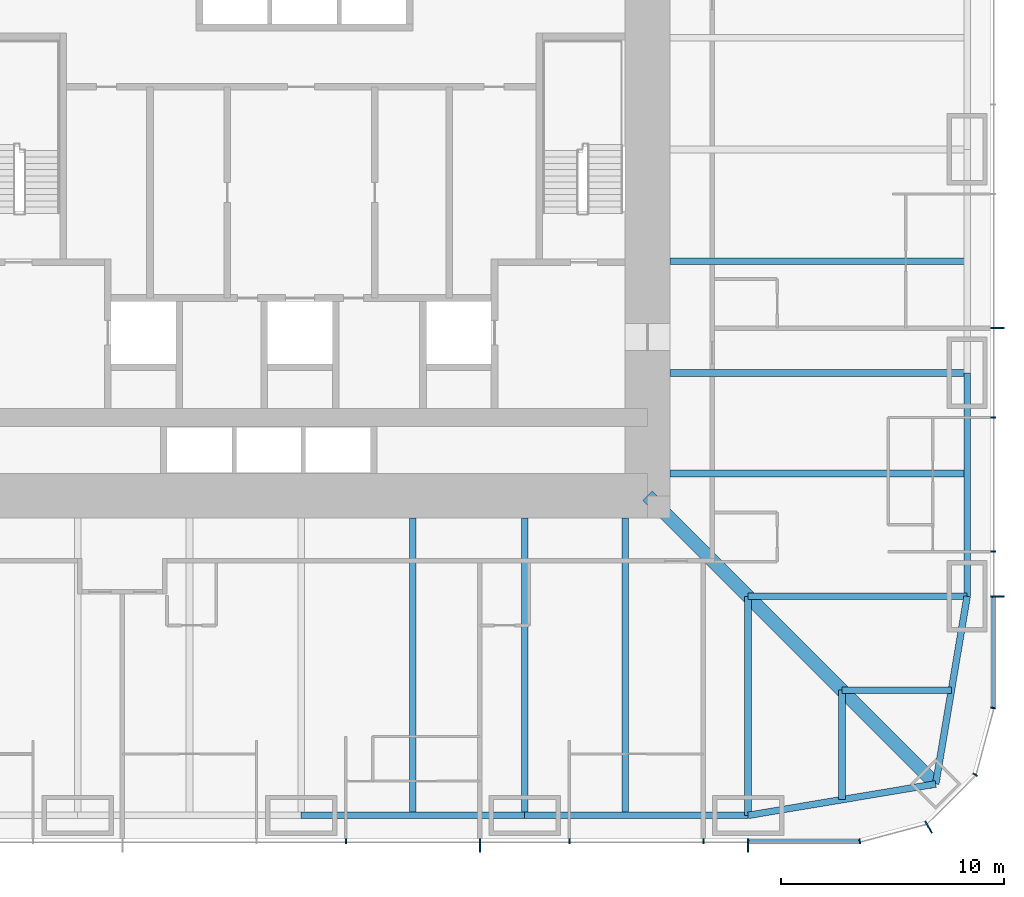
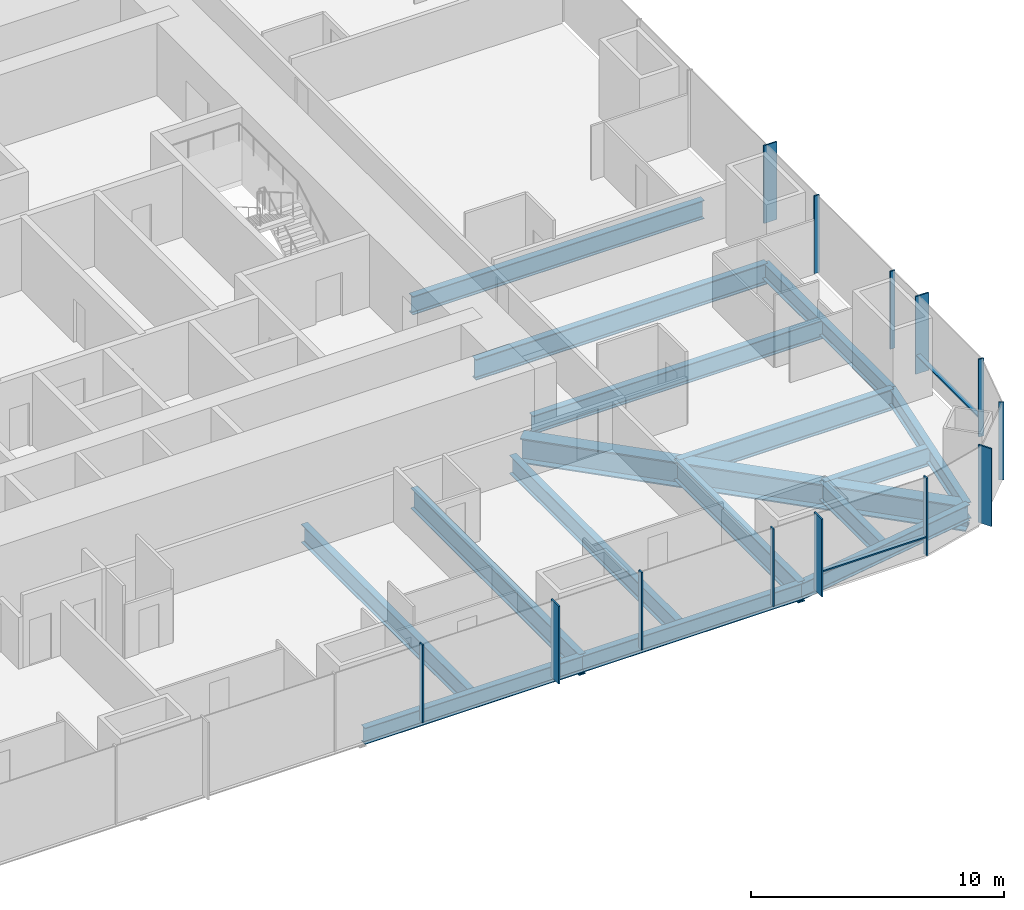
# One storey, part 4 of 17: 16 beams, 15 members, 3 elements without a shape of their own.
"""IFC4 building model written with IfcOpenShell, lengths in metres."""

import ifcopenshell
import ifcopenshell.guid

model = None  # the IFC model being written
_history = None  # IfcOwnerHistory: only IFC2X3 demands one
_inside = {}  # id of a spatial element -> (the spatial element, [elements in it])
_under = {}  # id of a project, library or spatial element -> (it, [spatial elements below it])
_declared = {}  # id of a project -> (the project, [libraries it declares])
_typed = {}  # id of a type object -> (the type object, [elements of that type])
_made_of = {}  # id of a material, layer set ... -> (it, [elements and type objects made of it])


def new_model(schema):
    """Start an empty IFC model of exactly this schema.

    Asked for "IFC4X3", IfcOpenShell would pick the latest addendum, in which some entities
    have other attributes; the version numbers below select the first issue.
    IFC2X3 requires an IfcOwnerHistory on every rooted entity: one is made here for all.
    """
    global model, _history
    if schema == "IFC4X3":
        model = ifcopenshell.file(schema_version=(4, 3, 0, 0))
    else:
        model = ifcopenshell.file(schema=schema)
    _inside.clear()
    _under.clear()
    _declared.clear()
    _typed.clear()
    _made_of.clear()
    _history = None
    if model.schema == "IFC2X3":
        org = make("IfcOrganization", Name="unknown")
        user = make(
            "IfcPersonAndOrganization",
            ThePerson=make("IfcPerson", FamilyName="unknown"),
            TheOrganization=org,
        )
        app = make(
            "IfcApplication",
            ApplicationDeveloper=org,
            Version="unknown",
            ApplicationFullName="unknown",
            ApplicationIdentifier="unknown",
        )
        _history = make(
            "IfcOwnerHistory",
            OwningUser=user,
            OwningApplication=app,
            ChangeAction="ADDED",
            CreationDate=0,
        )
    return model


def make(cls, **values):
    """One entity of the class cls with the attributes given. An attribute that is None is left unset."""
    return model.create_entity(
        cls, **{name: value for name, value in values.items() if value is not None}
    )


def rooted(cls, **values):
    """An entity with a GlobalId (a new one), such as an element, a storey or a relation."""
    return make(cls, GlobalId=ifcopenshell.guid.new(), OwnerHistory=_history, **values)


def si_unit(unit_type, name, prefix=None):
    """IfcSIUnit, for example si_unit("LENGTHUNIT", "METRE", prefix="MILLI")."""
    return make("IfcSIUnit", UnitType=unit_type, Prefix=prefix, Name=name)


def assignment(units):
    """IfcUnitAssignment: the units of a project."""
    return None if units is None else make("IfcUnitAssignment", Units=units)


def point(xyz):
    """IfcCartesianPoint."""
    return None if xyz is None else make("IfcCartesianPoint", Coordinates=xyz)


def direction(xyz):
    """IfcDirection."""
    return None if xyz is None else make("IfcDirection", DirectionRatios=xyz)


def frame(location, z_axis=None, x_axis=None):
    """IfcAxis2Placement3D, a coordinate frame: its origin and axes. An axis left out is left unset."""
    return make(
        "IfcAxis2Placement3D",
        Location=point(location),
        Axis=direction(z_axis),
        RefDirection=direction(x_axis),
    )


def frame_2d(location, x_axis=None):
    """IfcAxis2Placement2D, a coordinate frame in the plane: its origin and x axis."""
    return make(
        "IfcAxis2Placement2D", Location=point(location), RefDirection=direction(x_axis)
    )


def origin():
    """The frame at (0, 0, 0) with its axes left unset."""
    return frame((0.0, 0.0, 0.0))


def origin_2d():
    """The frame at (0, 0) in the plane with its x axis left unset."""
    return frame_2d((0.0, 0.0))


def place(relative_to, where):
    """IfcLocalPlacement: puts the frame where relative to a parent placement (None: the world)."""
    return make(
        "IfcLocalPlacement", PlacementRelTo=relative_to, RelativePlacement=where
    )


def context(
    kind, dimensions, precision=None, world=None, true_north=None, identifier=None
):
    """IfcGeometricRepresentationContext, for example the 3D "Model" context."""
    return make(
        "IfcGeometricRepresentationContext",
        ContextIdentifier=identifier,
        ContextType=kind,
        CoordinateSpaceDimension=dimensions,
        Precision=precision,
        WorldCoordinateSystem=world,
        TrueNorth=true_north,
    )


def subcontext(parent, identifier, kind, view, scale=None):
    """IfcGeometricRepresentationSubContext, for example "Body" below "Model"."""
    return make(
        "IfcGeometricRepresentationSubContext",
        ContextIdentifier=identifier,
        ContextType=kind,
        ParentContext=parent,
        TargetScale=scale,
        TargetView=view,
    )


def project(units=None, contexts=None):
    """IfcProject with its units and contexts."""
    return rooted(
        "IfcProject",
        Name="project",
        RepresentationContexts=contexts,
        UnitsInContext=assignment(units),
    )


def spatial(cls, under=None, at=None, **own):
    """A site, building, storey or space (cls), placed at a placement, below another one or the project."""
    s = rooted(cls, ObjectPlacement=at, **own)
    if under is not None:
        _under.setdefault(under.id(), (under, []))[1].append(s)
    return s


def profile(cls, at=None, kind="AREA", **sizes):
    """A parametric profile (cls). Its sizes go by their IFC names, for example OverallWidth=200.0."""
    return make(cls, ProfileType=kind, Position=at, **sizes)


def rectangle(**sizes):
    """IfcRectangleProfileDef."""
    return profile("IfcRectangleProfileDef", **sizes)


def i_section(**sizes):
    """IfcIShapeProfileDef."""
    return profile("IfcIShapeProfileDef", **sizes)


def extrude(swept, where, along, depth):
    """IfcExtrudedAreaSolid: the profile swept, set in the frame where, extruded along a direction by depth."""
    return make(
        "IfcExtrudedAreaSolid",
        SweptArea=swept,
        Position=where,
        ExtrudedDirection=direction(along),
        Depth=depth,
    )


def shape(context_of_items, identifier, shape_type, items):
    """IfcShapeRepresentation: the items that make up one representation, for example the "Body"."""
    return make(
        "IfcShapeRepresentation",
        ContextOfItems=context_of_items,
        RepresentationIdentifier=identifier,
        RepresentationType=shape_type,
        Items=items,
    )


def material(Name=None, Category=None):
    """IfcMaterial."""
    return make("IfcMaterial", Name=Name, Category=Category)


def material_profile(
    of_material, cross_section, Name=None, Category=None, Priority=None
):
    """IfcMaterialProfile: a cross section and its material."""
    return make(
        "IfcMaterialProfile",
        Name=Name,
        Material=of_material,
        Profile=cross_section,
        Priority=Priority,
        Category=Category,
    )


def profile_set(profiles, Name=None, composite=None):
    """IfcMaterialProfileSet."""
    return make(
        "IfcMaterialProfileSet",
        Name=Name,
        MaterialProfiles=profiles,
        CompositeProfile=composite,
    )


def made_of(thing, what):
    """Note that an element or type object is made of a material, layer set ...; save() writes the relation."""
    if what is not None:
        _made_of.setdefault(what.id(), (what, []))[1].append(thing)
    return thing


def type_object(cls, material=None, **own):
    """A type object (cls), such as IfcWallType, which elements share."""
    return made_of(rooted(cls, **own), material)


def element(
    cls,
    number,
    at=None,
    inside=None,
    cuts=None,
    type_object=None,
    material=None,
    context=None,
    identifier="Body",
    shape_type=None,
    held_by="IfcProductDefinitionShape",
    body=None,
    shapes=None,
    **own,
):
    """One element of the class cls, such as IfcWall. Its Tag is "e" and its number.

    at: its placement. inside: the storey or other place that contains it. cuts: it is an
    opening in that element (IfcRelVoidsElement). A single representation is given by context,
    identifier, shape_type and body (its items); several are given by shapes. held_by: the class
    of the entity that holds the representations. save() writes the other relations.
    """
    e = rooted(cls, Tag="e%d" % number, ObjectPlacement=at, **own)
    if body is not None:
        shapes = [shape(context, identifier, shape_type, body)]
    if shapes is not None:
        e.Representation = make(held_by, Representations=shapes)
    if inside is not None:
        _inside.setdefault(inside.id(), (inside, []))[1].append(e)
    if cuts is not None:
        rooted(
            "IfcRelVoidsElement", RelatingBuildingElement=cuts, RelatedOpeningElement=e
        )
    if type_object is not None:
        _typed.setdefault(type_object.id(), (type_object, []))[1].append(e)
    return made_of(e, material)


def aggregate(whole, parts):
    """IfcRelAggregates: a whole, such as a stair, and the parts it consists of."""
    return rooted("IfcRelAggregates", RelatingObject=whole, RelatedObjects=parts)


def save(model, path):
    """Write the relations noted so far, then the file.

    IfcRelAggregates (storeys below a building ...), IfcRelContainedInSpatialStructure (elements
    in a storey), IfcRelDefinesByType, IfcRelAssociatesMaterial and IfcRelDeclares: one each for
    every whole, place, type object, material and project.
    """
    for whole, parts in _under.values():
        aggregate(whole, parts)
    for where, things in _inside.values():
        rooted(
            "IfcRelContainedInSpatialStructure",
            RelatedElements=things,
            RelatingStructure=where,
        )
    for kind, things in _typed.values():
        rooted("IfcRelDefinesByType", RelatedObjects=things, RelatingType=kind)
    for what, things in _made_of.values():
        rooted("IfcRelAssociatesMaterial", RelatedObjects=things, RelatingMaterial=what)
    for by, libraries in _declared.values():
        rooted("IfcRelDeclares", RelatingContext=by, RelatedDefinitions=libraries)
    model.write(path)


model = new_model("IFC4")

# Units and contexts
model_context = context("Model", 3, precision=1e-05, world=origin(), true_north=direction((0.0, 1.0)))
body_context = subcontext(model_context, "Body", "Model", "MODEL_VIEW")
ifc_project = project(units=[si_unit("LENGTHUNIT", "METRE"), si_unit("AREAUNIT", "SQUARE_METRE"), si_unit("VOLUMEUNIT", "CUBIC_METRE"), si_unit("PLANEANGLEUNIT", "RADIAN"), si_unit("MASSUNIT", "GRAM", prefix="KILO")], contexts=[model_context])

# Site, building, storey
site_placement = place(None, origin())
site = spatial("IfcSite", under=ifc_project, at=site_placement, CompositionType="ELEMENT")
building_placement = place(site_placement, origin())
building = spatial("IfcBuilding", under=site, at=building_placement, Name="Khuree Lantern Residences", CompositionType="ELEMENT")
storey_placement = place(building_placement, frame((0.0, 0.0, 92.25)))
storey = spatial("IfcBuildingStorey", under=building, at=storey_placement, Name="L23", CompositionType="ELEMENT", Elevation=92.25)

# Beams
ifc_material_1 = material(Name="Steel S355", Category="steel")
ifc_material_profile_1 = material_profile(ifc_material_1, i_section(OverallWidth=0.300048828125, OverallDepth=0.889892578125, WebThickness=0.01611328125, FlangeThickness=0.030029296875, FilletRadius=0.030029296875, at=origin_2d()), Name="HE 900 A")
ifc_profile_set_1 = profile_set([ifc_material_profile_1], Name="Steel S355")
beam_type_1 = type_object("IfcBeamType", Name="B-15 SECONDARY BEAM HE 900 A", PredefinedType="BEAM", material=ifc_profile_set_1)
for number, where, z_axis, x_axis, name in (
    (1, (29.800048828125, -5.0, -0.695068359375), (-1.0, 0.0, 0.0), (0.0, -1.0, 0.0), "Secondary beam E4"),
    (2, (29.800048828125, -14.5, -0.695068359375), (-1.0, 0.0, 0.0), (0.0, -1.0, 0.0), "Secondary beam E5"),
):
    element("IfcBeam", number, at=place(storey_placement, frame(where, z_axis=z_axis, x_axis=x_axis)), inside=storey, type_object=beam_type_1, Name=name, PredefinedType="BEAM", context=body_context, shape_type="SweptSolid", body=[
        extrude(i_section(OverallWidth=0.300048828125, OverallDepth=0.889892578125, WebThickness=0.01611328125, FlangeThickness=0.030029296875, FilletRadius=0.030029296875, at=origin_2d()), origin(), (0.0, 0.0, 1.0), 13.300048828125),
    ])
for number, where, z_axis, x_axis, name in (
    (3, (29.09716796875, -24.197021484375, -0.695068359375), (-1.0, 0.0, 0.0), (0.0, -1.0, 0.0), "Secondary beam E6"),
    (4, (24.197021484375, -29.09716796875, -0.695068359375), (0.0, 1.0, 0.0), (-1.0, 0.0, 0.0), "Secondary beam S1"),
):
    element("IfcBeam", number, at=place(storey_placement, frame(where, z_axis=z_axis, x_axis=x_axis)), inside=storey, type_object=beam_type_1, Name=name, PredefinedType="BEAM", context=body_context, shape_type="SweptSolid", body=[
        extrude(i_section(OverallWidth=0.300048828125, OverallDepth=0.889892578125, WebThickness=0.01611328125, FlangeThickness=0.030029296875, FilletRadius=0.030029296875, at=origin_2d()), origin(), (0.0, 0.0, 1.0), 4.900146484375),
    ])
for number, where, z_axis, x_axis, name in (
    (5, (14.5, -29.800048828125, -0.695068359375), (0.0, 1.0, 0.0), (-1.0, 0.0, 0.0), "Secondary beam S2"),
    (6, (5.0, -29.800048828125, -0.695068359375), (0.0, 1.0, 0.0), (-1.0, 0.0, 0.0), "Secondary beam S3"),
):
    element("IfcBeam", number, at=place(storey_placement, frame(where, z_axis=z_axis, x_axis=x_axis)), inside=storey, type_object=beam_type_1, Name=name, PredefinedType="BEAM", context=body_context, shape_type="SweptSolid", body=[
        extrude(i_section(OverallWidth=0.300048828125, OverallDepth=0.889892578125, WebThickness=0.01611328125, FlangeThickness=0.030029296875, FilletRadius=0.030029296875, at=origin_2d()), origin(), (0.0, 0.0, 1.0), 13.300048828125),
    ])
ifc_material_profile_2 = material_profile(ifc_material_1, i_section(OverallWidth=0.300048828125, OverallDepth=0.7900390625, WebThickness=0.014892578125, FlangeThickness=0.028076171875, FilletRadius=0.030029296875, at=origin_2d()), Name="HE 800 A")
ifc_profile_set_2 = profile_set([ifc_material_profile_2], Name="Steel S355")
beam_type_2 = type_object("IfcBeamType", Name="E-15 SPANDREL BEAM HE 800 A", PredefinedType="SPANDREL", material=ifc_profile_set_2)
beam_1_placement = place(storey_placement, frame((29.800048828125, -10.0, -0.64501953125), z_axis=(0.0, -1.0, 0.0), x_axis=(1.0, 0.0, 0.0)))
element("IfcBeam", 7, at=beam_1_placement, inside=storey, type_object=beam_type_2, Name="Spandrel beam E5", PredefinedType="SPANDREL", context=body_context, shape_type="SweptSolid", body=[
    extrude(i_section(OverallWidth=0.300048828125, OverallDepth=0.7900390625, WebThickness=0.014892578125, FlangeThickness=0.028076171875, FilletRadius=0.030029296875, at=origin_2d()), origin(), (0.0, 0.0, 1.0), 10.0),
])
for number, where, z_axis, x_axis, name in (
    (8, (29.800048828125, -20.0, -0.64501953125), (-0.165199022349, -0.986260251158, 0.0), (0.986260251158, -0.165199022349, 0.0), "Spandrel beam E6"),
    (9, (28.39404296875, -28.39404296875, -0.64501953125), (-0.986260251158, -0.165199022349, 0.0), (0.165199022349, -0.986260251158, 0.0), "Spandrel beam S1"),
):
    element("IfcBeam", number, at=place(storey_placement, frame(where, z_axis=z_axis, x_axis=x_axis)), inside=storey, type_object=beam_type_2, Name=name, PredefinedType="SPANDREL", context=body_context, shape_type="SweptSolid", body=[
        extrude(i_section(OverallWidth=0.300048828125, OverallDepth=0.7900390625, WebThickness=0.014892578125, FlangeThickness=0.028076171875, FilletRadius=0.030029296875, at=origin_2d()), origin(), (0.0, 0.0, 1.0), 8.510986328125),
    ])
for number, where, z_axis, x_axis, name in (
    (10, (20.0, -29.800048828125, -0.64501953125), (-1.0, 0.0, 0.0), (0.0, -1.0, 0.0), "Spandrel beam S2"),
    (11, (10.0, -29.800048828125, -0.64501953125), (-1.0, 0.0, 0.0), (0.0, -1.0, 0.0), "Spandrel beam S3"),
):
    element("IfcBeam", number, at=place(storey_placement, frame(where, z_axis=z_axis, x_axis=x_axis)), inside=storey, type_object=beam_type_2, Name=name, PredefinedType="SPANDREL", context=body_context, shape_type="SweptSolid", body=[
        extrude(i_section(OverallWidth=0.300048828125, OverallDepth=0.7900390625, WebThickness=0.014892578125, FlangeThickness=0.028076171875, FilletRadius=0.030029296875, at=origin_2d()), origin(), (0.0, 0.0, 1.0), 10.0),
    ])

# Curtain wall, member
ifc_material_2 = material(Name="Bronze anodised aluminium", Category="aluminium")
curtain_wall_type_1 = type_object("IfcCurtainWallType", Name="CW-T2 TOWER CORNER CURTAIN WALL", PredefinedType="USERDEFINED", material=ifc_material_2)
curtain_wall_1_placement = place(storey_placement, origin())
curtain_wall_1 = element("IfcCurtainWall", 12, at=curtain_wall_1_placement, inside=storey, type_object=curtain_wall_type_1, Name="L23 SOUTH-EAST CORNER CURTAIN WALL", ObjectType="Faceted corner curtain wall", PredefinedType="USERDEFINED")
ifc_material_profile_3 = material_profile(ifc_material_2, rectangle(XDim=0.06494140625, YDim=0.60009765625, at=origin_2d()), Name="F1 65X600")
ifc_profile_set_3 = profile_set([ifc_material_profile_3], Name="Bronze anodised aluminium")
member_type_1 = type_object("IfcMemberType", Name="F1 BRONZE FIN MULLION TOWER 65X600", PredefinedType="MULLION", material=ifc_profile_set_3)
member_1_placement = place(storey_placement, frame((28.074951171875, -30.326171875, 0.0), z_axis=(0.0, 0.0, 1.0), x_axis=(0.86602537092, 0.500000056923, 0.0)))
member_1 = element("IfcMember", 13, at=member_1_placement, type_object=member_type_1, Name="L23 SOUTH-EAST CORNER FIN MULLION 2", PredefinedType="MULLION", context=body_context, shape_type="SweptSolid", body=[
    extrude(rectangle(XDim=0.06494140625, YDim=0.60009765625, at=origin_2d()), origin(), (0.0, 0.0, 1.0), 3.75),
])

# Curtain wall, members
curtain_wall_type_2 = type_object("IfcCurtainWallType", Name="CW-T1 TOWER FACE CURTAIN WALL", PredefinedType="USERDEFINED", material=ifc_material_2)
curtain_wall_2_placement = place(storey_placement, origin())
curtain_wall_2 = element("IfcCurtainWall", 14, at=curtain_wall_2_placement, inside=storey, type_object=curtain_wall_type_2, Name="L23 EAST FACE CURTAIN WALL", ObjectType="Stick-built curtain wall", PredefinedType="USERDEFINED")
member_2_placement = place(storey_placement, frame((31.14990234375, -20.0, 0.0), z_axis=(0.0, 0.0, 1.0), x_axis=(0.0, 1.0, 0.0)))
member_2 = element("IfcMember", 15, at=member_2_placement, type_object=member_type_1, Name="L23 EAST FACE FIN MULLION 5", PredefinedType="MULLION", context=body_context, shape_type="SweptSolid", body=[
    extrude(rectangle(XDim=0.06494140625, YDim=0.60009765625, at=origin_2d()), origin(), (0.0, 0.0, 1.0), 3.75),
])
member_3_placement = place(storey_placement, frame((31.14990234375, -8.0, 0.0), z_axis=(0.0, 0.0, 1.0), x_axis=(0.0, 1.0, 0.0)))
member_3 = element("IfcMember", 16, at=member_3_placement, type_object=member_type_1, Name="L23 EAST FACE FIN MULLION 8", PredefinedType="MULLION", context=body_context, shape_type="SweptSolid", body=[
    extrude(rectangle(XDim=0.06494140625, YDim=0.60009765625, at=origin_2d()), origin(), (0.0, 0.0, 1.0), 3.75),
])

curtain_wall_3_placement = place(storey_placement, origin())
curtain_wall_3 = element("IfcCurtainWall", 17, at=curtain_wall_3_placement, inside=storey, type_object=curtain_wall_type_2, Name="L23 SOUTH FACE CURTAIN WALL", ObjectType="Stick-built curtain wall", PredefinedType="USERDEFINED")
member_4_placement = place(storey_placement, frame((8.0, -31.14990234375, 0.0), z_axis=(0.0, 0.0, 1.0), x_axis=(1.0, 0.0, 0.0)))
member_4 = element("IfcMember", 18, at=member_4_placement, type_object=member_type_1, Name="L23 SOUTH FACE FIN MULLION 53", PredefinedType="MULLION", context=body_context, shape_type="SweptSolid", body=[
    extrude(rectangle(XDim=0.06494140625, YDim=0.60009765625, at=origin_2d()), origin(), (0.0, 0.0, 1.0), 3.75),
])
member_5_placement = place(storey_placement, frame((20.0, -31.14990234375, 0.0), z_axis=(0.0, 0.0, 1.0), x_axis=(1.0, 0.0, 0.0)))
member_5 = element("IfcMember", 19, at=member_5_placement, type_object=member_type_1, Name="L23 SOUTH FACE FIN MULLION 56", PredefinedType="MULLION", context=body_context, shape_type="SweptSolid", body=[
    extrude(rectangle(XDim=0.06494140625, YDim=0.60009765625, at=origin_2d()), origin(), (0.0, 0.0, 1.0), 3.75),
])

# Beams
ifc_material_profile_4 = material_profile(ifc_material_1, i_section(OverallWidth=0.302001953125, OverallDepth=1.008056640625, WebThickness=0.02099609375, FlangeThickness=0.0400390625, FilletRadius=0.030029296875, at=origin_2d()), Name="HE 1000 M")
ifc_profile_set_4 = profile_set([ifc_material_profile_4], Name="Steel S355")
beam_type_3 = type_object("IfcBeamType", Name="G-15 GIRDER HE 1000 M", PredefinedType="BEAM", material=ifc_profile_set_4)
beam_2_placement = place(storey_placement, frame((29.800048828125, -10.0, -0.75390625), z_axis=(-1.0, 0.0, 0.0), x_axis=(0.0, -1.0, 0.0)))
element("IfcBeam", 20, at=beam_2_placement, inside=storey, type_object=beam_type_3, Name="Girder E4", PredefinedType="BEAM", context=body_context, shape_type="SweptSolid", body=[
    extrude(i_section(OverallWidth=0.302001953125, OverallDepth=1.008056640625, WebThickness=0.02099609375, FlangeThickness=0.0400390625, FilletRadius=0.030029296875, at=origin_2d()), origin(), (0.0, 0.0, 1.0), 13.300048828125),
])
for number, where, z_axis, x_axis, name in (
    (21, (29.800048828125, -20.0, -0.75390625), (-1.0, 0.0, 0.0), (0.0, -1.0, 0.0), "Girder E5"),
    (22, (20.0, -29.800048828125, -0.75390625), (0.0, 1.0, 0.0), (-1.0, 0.0, 0.0), "Girder S1"),
):
    element("IfcBeam", number, at=place(storey_placement, frame(where, z_axis=z_axis, x_axis=x_axis)), inside=storey, type_object=beam_type_3, Name=name, PredefinedType="BEAM", context=body_context, shape_type="SweptSolid", body=[
        extrude(i_section(OverallWidth=0.302001953125, OverallDepth=1.008056640625, WebThickness=0.02099609375, FlangeThickness=0.0400390625, FilletRadius=0.030029296875, at=origin_2d()), origin(), (0.0, 0.0, 1.0), 9.800048828125),
    ])
beam_3_placement = place(storey_placement, frame((10.0, -29.800048828125, -0.75390625), z_axis=(0.0, 1.0, 0.0), x_axis=(-1.0, 0.0, 0.0)))
element("IfcBeam", 23, at=beam_3_placement, inside=storey, type_object=beam_type_3, Name="Girder S2", PredefinedType="BEAM", context=body_context, shape_type="SweptSolid", body=[
    extrude(i_section(OverallWidth=0.302001953125, OverallDepth=1.008056640625, WebThickness=0.02099609375, FlangeThickness=0.0400390625, FilletRadius=0.030029296875, at=origin_2d()), origin(), (0.0, 0.0, 1.0), 13.300048828125),
])
ifc_material_profile_5 = material_profile(ifc_material_1, i_section(OverallWidth=0.60009765625, OverallDepth=1.199951171875, WebThickness=0.030029296875, FlangeThickness=0.06005859375, at=origin_2d()), Name="WELDED I 1200X600X30X60")
ifc_profile_set_5 = profile_set([ifc_material_profile_5], Name="Steel S355")
beam_type_4 = type_object("IfcBeamType", Name="GD-15 CORNER GIRDER WELDED I 1200X600X30X60", PredefinedType="BEAM", material=ifc_profile_set_5)
beam_4_placement = place(storey_placement, frame((28.39404296875, -28.39404296875, -0.85009765625), z_axis=(-0.707106781187, 0.707106781187, 0.0), x_axis=(-0.707106781187, -0.707106781187, 0.0)))
element("IfcBeam", 24, at=beam_4_placement, inside=storey, type_object=beam_type_4, Name="Corner girder SE", PredefinedType="BEAM", context=body_context, shape_type="SweptSolid", body=[
    extrude(i_section(OverallWidth=0.60009765625, OverallDepth=1.199951171875, WebThickness=0.030029296875, FlangeThickness=0.06005859375, at=origin_2d()), origin(), (0.0, 0.0, 1.0), 18.23486328125),
])

# Member
ifc_material_profile_6 = material_profile(ifc_material_2, rectangle(XDim=0.06494140625, YDim=0.219970703125, at=origin_2d()), Name="M1 65X220")
ifc_profile_set_6 = profile_set([ifc_material_profile_6], Name="Bronze anodised aluminium")
member_type_2 = type_object("IfcMemberType", Name="M1 BRONZE MULLION TOWER 65X220", PredefinedType="MULLION", material=ifc_profile_set_6)
member_6_placement = place(storey_placement, frame((24.994873046875, -30.961669921875, 0.0), z_axis=(0.0, 0.0, 1.0), x_axis=(0.991444852794, 0.130526257387, 0.0)))
member_6 = element("IfcMember", 25, at=member_6_placement, type_object=member_type_2, Name="L23 SOUTH-EAST CORNER MULLION 1", PredefinedType="MULLION", context=body_context, shape_type="SweptSolid", body=[
    extrude(rectangle(XDim=0.06494140625, YDim=0.219970703125, at=origin_2d()), origin(), (0.0, 0.0, 1.0), 3.75),
])

member_7_placement = place(storey_placement, frame((30.16162109375, -27.97998046875, 0.0), z_axis=(0.0, 0.0, 1.0), x_axis=(0.500000056923, 0.86602537092, 0.0)))
member_7 = element("IfcMember", 26, at=member_7_placement, type_object=member_type_2, Name="L23 SOUTH-EAST CORNER MULLION 3", PredefinedType="MULLION", context=body_context, shape_type="SweptSolid", body=[
    extrude(rectangle(XDim=0.06494140625, YDim=0.219970703125, at=origin_2d()), origin(), (0.0, 0.0, 1.0), 3.75),
])

aggregate(curtain_wall_1, [member_6, member_1, member_7])

member_8_placement = place(storey_placement, frame((30.961669921875, -24.994873046875, 0.0), z_axis=(0.0, 0.0, 1.0), x_axis=(0.130526257387, 0.991444852794, 0.0)))
member_8 = element("IfcMember", 27, at=member_8_placement, type_object=member_type_2, Name="L23 EAST FACE MULLION 4", PredefinedType="MULLION", context=body_context, shape_type="SweptSolid", body=[
    extrude(rectangle(XDim=0.06494140625, YDim=0.219970703125, at=origin_2d()), origin(), (0.0, 0.0, 1.0), 3.75),
])

member_9_placement = place(storey_placement, frame((30.9599609375, -18.0, 0.0), z_axis=(0.0, 0.0, 1.0), x_axis=(0.0, 1.0, 0.0)))
member_9 = element("IfcMember", 28, at=member_9_placement, type_object=member_type_2, Name="L23 EAST FACE MULLION 6", PredefinedType="MULLION", context=body_context, shape_type="SweptSolid", body=[
    extrude(rectangle(XDim=0.06494140625, YDim=0.219970703125, at=origin_2d()), origin(), (0.0, 0.0, 1.0), 3.75),
])

member_10_placement = place(storey_placement, frame((30.9599609375, -12.0, 0.0), z_axis=(0.0, 0.0, 1.0), x_axis=(0.0, 1.0, 0.0)))
member_10 = element("IfcMember", 29, at=member_10_placement, type_object=member_type_2, Name="L23 EAST FACE MULLION 7", PredefinedType="MULLION", context=body_context, shape_type="SweptSolid", body=[
    extrude(rectangle(XDim=0.06494140625, YDim=0.219970703125, at=origin_2d()), origin(), (0.0, 0.0, 1.0), 3.75),
])

member_11_placement = place(storey_placement, frame((2.0, -30.9599609375, 0.0), z_axis=(0.0, 0.0, 1.0), x_axis=(1.0, 0.0, 0.0)))
member_11 = element("IfcMember", 30, at=member_11_placement, type_object=member_type_2, Name="L23 SOUTH FACE MULLION 52", PredefinedType="MULLION", context=body_context, shape_type="SweptSolid", body=[
    extrude(rectangle(XDim=0.06494140625, YDim=0.219970703125, at=origin_2d()), origin(), (0.0, 0.0, 1.0), 3.75),
])

member_12_placement = place(storey_placement, frame((12.0, -30.9599609375, 0.0), z_axis=(0.0, 0.0, 1.0), x_axis=(1.0, 0.0, 0.0)))
member_12 = element("IfcMember", 31, at=member_12_placement, type_object=member_type_2, Name="L23 SOUTH FACE MULLION 54", PredefinedType="MULLION", context=body_context, shape_type="SweptSolid", body=[
    extrude(rectangle(XDim=0.06494140625, YDim=0.219970703125, at=origin_2d()), origin(), (0.0, 0.0, 1.0), 3.75),
])

member_13_placement = place(storey_placement, frame((18.0, -30.9599609375, 0.0), z_axis=(0.0, 0.0, 1.0), x_axis=(1.0, 0.0, 0.0)))
member_13 = element("IfcMember", 32, at=member_13_placement, type_object=member_type_2, Name="L23 SOUTH FACE MULLION 55", PredefinedType="MULLION", context=body_context, shape_type="SweptSolid", body=[
    extrude(rectangle(XDim=0.06494140625, YDim=0.219970703125, at=origin_2d()), origin(), (0.0, 0.0, 1.0), 3.75),
])

ifc_material_profile_7 = material_profile(ifc_material_2, rectangle(XDim=0.179931640625, YDim=0.06494140625, at=origin_2d()), Name="T1 180X65")
ifc_profile_set_7 = profile_set([ifc_material_profile_7], Name="Bronze anodised aluminium")
member_type_3 = type_object("IfcMemberType", Name="TRANSOM T1 TOWER 180X65", PredefinedType="USERDEFINED", material=ifc_profile_set_7)
member_14_placement = place(storey_placement, frame((30.969970703125, -24.951416015625, 0.89990234375), z_axis=(0.0, 1.0, 0.0), x_axis=(-1.0, 0.0, 0.0)))
member_14 = element("IfcMember", 33, at=member_14_placement, type_object=member_type_3, Name="L23 EAST FACE TRANSOM 4.1", ObjectType="Transom", PredefinedType="USERDEFINED", context=body_context, shape_type="SweptSolid", body=[
    extrude(rectangle(XDim=0.179931640625, YDim=0.06494140625, at=origin_2d()), origin(), (0.0, 0.0, 1.0), 4.9189453125),
])

aggregate(curtain_wall_2, [member_8, member_2, member_9, member_10, member_3, member_14])

member_15_placement = place(storey_placement, frame((20.032470703125, -30.969970703125, 0.89990234375), z_axis=(1.0, 0.0, 0.0), x_axis=(0.0, 1.0, 0.0)))
member_15 = element("IfcMember", 34, at=member_15_placement, type_object=member_type_3, Name="L23 SOUTH FACE TRANSOM 56.1", ObjectType="Transom", PredefinedType="USERDEFINED", context=body_context, shape_type="SweptSolid", body=[
    extrude(rectangle(XDim=0.179931640625, YDim=0.06494140625, at=origin_2d()), origin(), (0.0, 0.0, 1.0), 4.9189453125),
])

aggregate(curtain_wall_3, [member_11, member_4, member_12, member_13, member_5, member_15])

save(model, "model.ifc")
